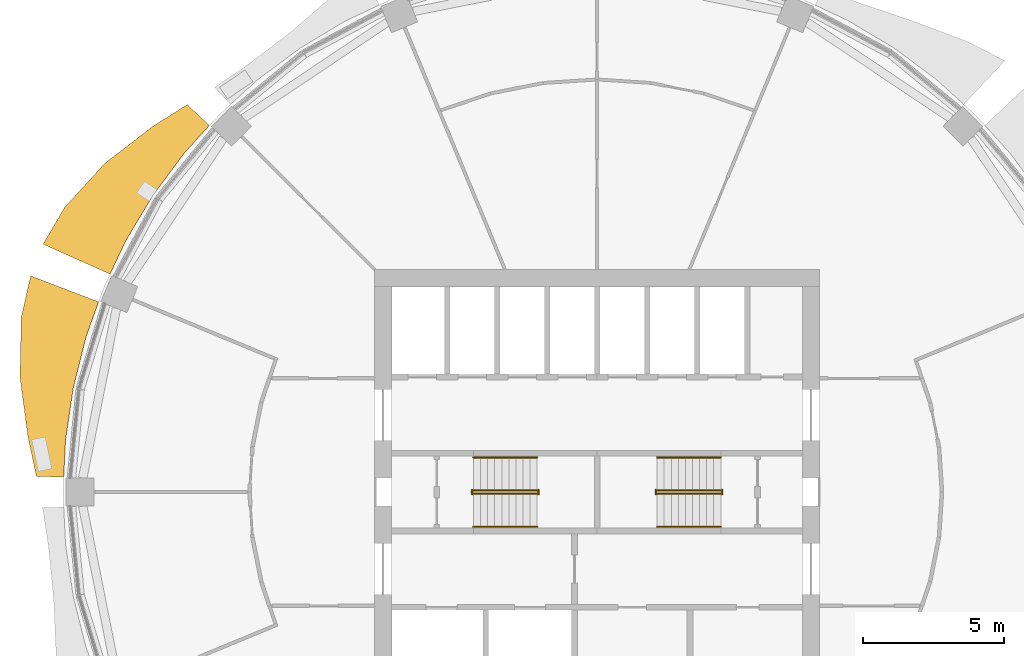
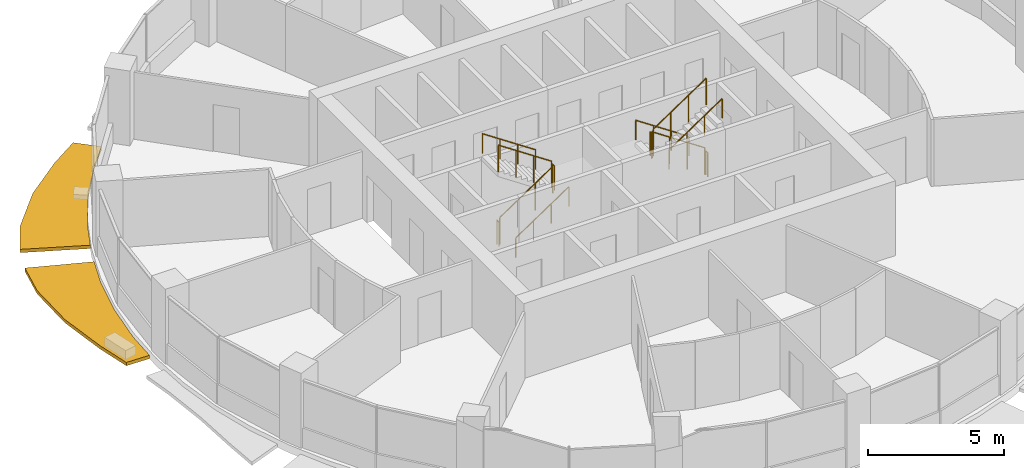
# One storey, part 12 of 14: 12 railings, 2 shading devices.
"""IFC4 building model written with IfcOpenShell, lengths in metres."""

import ifcopenshell
import ifcopenshell.guid

model = None  # the IFC model being written
_history = None  # IfcOwnerHistory: only IFC2X3 demands one
_inside = {}  # id of a spatial element -> (the spatial element, [elements in it])
_under = {}  # id of a project, library or spatial element -> (it, [spatial elements below it])
_declared = {}  # id of a project -> (the project, [libraries it declares])
_typed = {}  # id of a type object -> (the type object, [elements of that type])
_made_of = {}  # id of a material, layer set ... -> (it, [elements and type objects made of it])


def new_model(schema):
    """Start an empty IFC model of exactly this schema.

    Asked for "IFC4X3", IfcOpenShell would pick the latest addendum, in which some entities
    have other attributes; the version numbers below select the first issue.
    IFC2X3 requires an IfcOwnerHistory on every rooted entity: one is made here for all.
    """
    global model, _history
    if schema == "IFC4X3":
        model = ifcopenshell.file(schema_version=(4, 3, 0, 0))
    else:
        model = ifcopenshell.file(schema=schema)
    _inside.clear()
    _under.clear()
    _declared.clear()
    _typed.clear()
    _made_of.clear()
    _history = None
    if model.schema == "IFC2X3":
        org = make("IfcOrganization", Name="unknown")
        user = make(
            "IfcPersonAndOrganization",
            ThePerson=make("IfcPerson", FamilyName="unknown"),
            TheOrganization=org,
        )
        app = make(
            "IfcApplication",
            ApplicationDeveloper=org,
            Version="unknown",
            ApplicationFullName="unknown",
            ApplicationIdentifier="unknown",
        )
        _history = make(
            "IfcOwnerHistory",
            OwningUser=user,
            OwningApplication=app,
            ChangeAction="ADDED",
            CreationDate=0,
        )
    return model


def make(cls, **values):
    """One entity of the class cls with the attributes given. An attribute that is None is left unset."""
    return model.create_entity(
        cls, **{name: value for name, value in values.items() if value is not None}
    )


def rooted(cls, **values):
    """An entity with a GlobalId (a new one), such as an element, a storey or a relation."""
    return make(cls, GlobalId=ifcopenshell.guid.new(), OwnerHistory=_history, **values)


def si_unit(unit_type, name, prefix=None):
    """IfcSIUnit, for example si_unit("LENGTHUNIT", "METRE", prefix="MILLI")."""
    return make("IfcSIUnit", UnitType=unit_type, Prefix=prefix, Name=name)


def assignment(units):
    """IfcUnitAssignment: the units of a project."""
    return None if units is None else make("IfcUnitAssignment", Units=units)


def point(xyz):
    """IfcCartesianPoint."""
    return None if xyz is None else make("IfcCartesianPoint", Coordinates=xyz)


def direction(xyz):
    """IfcDirection."""
    return None if xyz is None else make("IfcDirection", DirectionRatios=xyz)


def frame(location, z_axis=None, x_axis=None):
    """IfcAxis2Placement3D, a coordinate frame: its origin and axes. An axis left out is left unset."""
    return make(
        "IfcAxis2Placement3D",
        Location=point(location),
        Axis=direction(z_axis),
        RefDirection=direction(x_axis),
    )


def frame_2d(location, x_axis=None):
    """IfcAxis2Placement2D, a coordinate frame in the plane: its origin and x axis."""
    return make(
        "IfcAxis2Placement2D", Location=point(location), RefDirection=direction(x_axis)
    )


def origin():
    """The frame at (0, 0, 0) with its axes left unset."""
    return frame((0.0, 0.0, 0.0))


def origin_2d():
    """The frame at (0, 0) in the plane with its x axis left unset."""
    return frame_2d((0.0, 0.0))


def place(relative_to, where):
    """IfcLocalPlacement: puts the frame where relative to a parent placement (None: the world)."""
    return make(
        "IfcLocalPlacement", PlacementRelTo=relative_to, RelativePlacement=where
    )


def context(
    kind, dimensions, precision=None, world=None, true_north=None, identifier=None
):
    """IfcGeometricRepresentationContext, for example the 3D "Model" context."""
    return make(
        "IfcGeometricRepresentationContext",
        ContextIdentifier=identifier,
        ContextType=kind,
        CoordinateSpaceDimension=dimensions,
        Precision=precision,
        WorldCoordinateSystem=world,
        TrueNorth=true_north,
    )


def subcontext(parent, identifier, kind, view, scale=None):
    """IfcGeometricRepresentationSubContext, for example "Body" below "Model"."""
    return make(
        "IfcGeometricRepresentationSubContext",
        ContextIdentifier=identifier,
        ContextType=kind,
        ParentContext=parent,
        TargetScale=scale,
        TargetView=view,
    )


def project(units=None, contexts=None):
    """IfcProject with its units and contexts."""
    return rooted(
        "IfcProject",
        Name="project",
        RepresentationContexts=contexts,
        UnitsInContext=assignment(units),
    )


def spatial(cls, under=None, at=None, **own):
    """A site, building, storey or space (cls), placed at a placement, below another one or the project."""
    s = rooted(cls, ObjectPlacement=at, **own)
    if under is not None:
        _under.setdefault(under.id(), (under, []))[1].append(s)
    return s


def polyline(points):
    """IfcPolyline through the points."""
    return make("IfcPolyline", Points=[point(p) for p in points])


def profile(cls, at=None, kind="AREA", **sizes):
    """A parametric profile (cls). Its sizes go by their IFC names, for example OverallWidth=200.0."""
    return make(cls, ProfileType=kind, Position=at, **sizes)


def circle(**sizes):
    """IfcCircleProfileDef."""
    return profile("IfcCircleProfileDef", **sizes)


def outline(outer, holes=None, kind="AREA"):
    """IfcArbitraryClosedProfileDef: a profile drawn as a closed curve; with holes, ...WithVoids."""
    if holes is None:
        return make("IfcArbitraryClosedProfileDef", ProfileType=kind, OuterCurve=outer)
    return make(
        "IfcArbitraryProfileDefWithVoids",
        ProfileType=kind,
        OuterCurve=outer,
        InnerCurves=holes,
    )


def extrude(swept, where, along, depth):
    """IfcExtrudedAreaSolid: the profile swept, set in the frame where, extruded along a direction by depth."""
    return make(
        "IfcExtrudedAreaSolid",
        SweptArea=swept,
        Position=where,
        ExtrudedDirection=direction(along),
        Depth=depth,
    )


def shape(context_of_items, identifier, shape_type, items):
    """IfcShapeRepresentation: the items that make up one representation, for example the "Body"."""
    return make(
        "IfcShapeRepresentation",
        ContextOfItems=context_of_items,
        RepresentationIdentifier=identifier,
        RepresentationType=shape_type,
        Items=items,
    )


def material(Name=None, Category=None):
    """IfcMaterial."""
    return make("IfcMaterial", Name=Name, Category=Category)


def made_of(thing, what):
    """Note that an element or type object is made of a material, layer set ...; save() writes the relation."""
    if what is not None:
        _made_of.setdefault(what.id(), (what, []))[1].append(thing)
    return thing


def type_object(cls, material=None, **own):
    """A type object (cls), such as IfcWallType, which elements share."""
    return made_of(rooted(cls, **own), material)


def element(
    cls,
    number,
    at=None,
    inside=None,
    cuts=None,
    type_object=None,
    material=None,
    context=None,
    identifier="Body",
    shape_type=None,
    held_by="IfcProductDefinitionShape",
    body=None,
    shapes=None,
    **own,
):
    """One element of the class cls, such as IfcWall. Its Tag is "e" and its number.

    at: its placement. inside: the storey or other place that contains it. cuts: it is an
    opening in that element (IfcRelVoidsElement). A single representation is given by context,
    identifier, shape_type and body (its items); several are given by shapes. held_by: the class
    of the entity that holds the representations. save() writes the other relations.
    """
    e = rooted(cls, Tag="e%d" % number, ObjectPlacement=at, **own)
    if body is not None:
        shapes = [shape(context, identifier, shape_type, body)]
    if shapes is not None:
        e.Representation = make(held_by, Representations=shapes)
    if inside is not None:
        _inside.setdefault(inside.id(), (inside, []))[1].append(e)
    if cuts is not None:
        rooted(
            "IfcRelVoidsElement", RelatingBuildingElement=cuts, RelatedOpeningElement=e
        )
    if type_object is not None:
        _typed.setdefault(type_object.id(), (type_object, []))[1].append(e)
    return made_of(e, material)


def aggregate(whole, parts):
    """IfcRelAggregates: a whole, such as a stair, and the parts it consists of."""
    return rooted("IfcRelAggregates", RelatingObject=whole, RelatedObjects=parts)


def save(model, path):
    """Write the relations noted so far, then the file.

    IfcRelAggregates (storeys below a building ...), IfcRelContainedInSpatialStructure (elements
    in a storey), IfcRelDefinesByType, IfcRelAssociatesMaterial and IfcRelDeclares: one each for
    every whole, place, type object, material and project.
    """
    for whole, parts in _under.values():
        aggregate(whole, parts)
    for where, things in _inside.values():
        rooted(
            "IfcRelContainedInSpatialStructure",
            RelatedElements=things,
            RelatingStructure=where,
        )
    for kind, things in _typed.values():
        rooted("IfcRelDefinesByType", RelatedObjects=things, RelatingType=kind)
    for what, things in _made_of.values():
        rooted("IfcRelAssociatesMaterial", RelatedObjects=things, RelatingMaterial=what)
    for by, libraries in _declared.values():
        rooted("IfcRelDeclares", RelatingContext=by, RelatedDefinitions=libraries)
    model.write(path)


model = new_model("IFC4")

# Units and contexts
model_context = context("Model", 3, precision=1e-05, world=origin(), true_north=direction((0.0, 1.0)))
body_context = subcontext(model_context, "Body", "Model", "MODEL_VIEW")
ifc_project = project(units=[si_unit("LENGTHUNIT", "METRE"), si_unit("AREAUNIT", "SQUARE_METRE"), si_unit("VOLUMEUNIT", "CUBIC_METRE"), si_unit("PLANEANGLEUNIT", "RADIAN"), si_unit("MASSUNIT", "GRAM", prefix="KILO")], contexts=[model_context])

# Site, building, storey
site_placement = place(None, origin())
site = spatial("IfcSite", under=ifc_project, at=site_placement, CompositionType="ELEMENT")
building_placement = place(site_placement, origin())
building = spatial("IfcBuilding", under=site, at=building_placement, Name="Polderwave Tower", CompositionType="ELEMENT")
storey_placement = place(building_placement, frame((0.0, 0.0, 144.39990234375)))
storey = spatial("IfcBuildingStorey", under=building, at=storey_placement, Name="L38", CompositionType="ELEMENT", Elevation=144.39990234375)

# Railings
ifc_material_1 = material(Name="Stainless steel", Category="steel")
railing_type_1 = type_object("IfcRailingType", Name="Stair guard 1100", PredefinedType="GUARDRAIL", material=ifc_material_1)
railing_1_placement = place(storey_placement, frame((-4.3740234375, -0.051025390625, 0.04736328125)))
element("IfcRailing", 1, at=railing_1_placement, inside=storey, type_object=railing_type_1, Name="L38 ST-A stair guard 1", PredefinedType="GUARDRAIL", context=body_context, shape_type="SweptSolid", body=[
    extrude(circle(Radius=0.02392578125, at=origin_2d()), frame((0.0, 0.0, 1.1962890625), z_axis=(0.830758306289, 0.0, 0.556633305266), x_axis=(0.0, 1.0, 0.0)), (0.0, 0.0, 1.0), 2.708251953125),
    extrude(circle(Radius=0.02392578125, at=origin_2d()), origin(), (0.0, 0.0, 1.0), 1.172119140625),
    extrude(circle(Radius=0.02392578125, at=origin_2d()), frame((0.75, 0.0, 0.50244140625)), (0.0, 0.0, 1.0), 1.172119140625),
    extrude(circle(Radius=0.02392578125, at=origin_2d()), frame((1.5, 0.0, 1.005126953125)), (0.0, 0.0, 1.0), 1.172119140625),
    extrude(circle(Radius=0.02392578125, at=origin_2d()), frame((2.25, 0.0, 1.507568359375)), (0.0, 0.0, 1.0), 1.172119140625),
])
railing_2_placement = place(storey_placement, frame((-2.073974609375, -0.074951171875, 1.675048828125)))
element("IfcRailing", 2, at=railing_2_placement, inside=storey, type_object=railing_type_1, Name="L38 ST-A stair guard 2", PredefinedType="GUARDRAIL", context=body_context, shape_type="SweptSolid", body=[
    extrude(circle(Radius=0.02392578125, at=origin_2d()), frame((0.0, 0.0, 1.076171875), z_axis=(0.0, 1.0, 0.0), x_axis=(-1.0, 0.0, 0.0)), (0.0, 0.0, 1.0), 0.14990234375),
    extrude(circle(Radius=0.02099609375, at=origin_2d()), origin(), (0.0, 0.0, 1.0), 1.052001953125),
    extrude(circle(Radius=0.02099609375, at=origin_2d()), frame((0.0, 0.14990234375, 0.0)), (0.0, 0.0, 1.0), 1.052001953125),
])
railing_3_placement = place(storey_placement, frame((-2.1240234375, 0.051025390625, 1.722412109375)))
element("IfcRailing", 3, at=railing_3_placement, inside=storey, type_object=railing_type_1, Name="L38 ST-A stair guard 3", PredefinedType="GUARDRAIL", context=body_context, shape_type="SweptSolid", body=[
    extrude(circle(Radius=0.02392578125, at=origin_2d()), frame((0.0, 0.0, 1.1962890625), z_axis=(-0.830758306289, 0.0, 0.556633305266), x_axis=(0.0, -1.0, 0.0)), (0.0, 0.0, 1.0), 2.708251953125),
    extrude(circle(Radius=0.02392578125, at=origin_2d()), origin(), (0.0, 0.0, 1.0), 1.172119140625),
    extrude(circle(Radius=0.02392578125, at=origin_2d()), frame((-0.75, 0.0, 0.50244140625)), (0.0, 0.0, 1.0), 1.172119140625),
    extrude(circle(Radius=0.02392578125, at=origin_2d()), frame((-1.5, 0.0, 1.005126953125)), (0.0, 0.0, 1.0), 1.172119140625),
    extrude(circle(Radius=0.02392578125, at=origin_2d()), frame((-2.25, 0.0, 1.507568359375)), (0.0, 0.0, 1.0), 1.172119140625),
])
railing_4_placement = place(storey_placement, frame((-4.424072265625, -0.074951171875, 0.0)))
element("IfcRailing", 4, at=railing_4_placement, inside=storey, type_object=railing_type_1, Name="L38 ST-A stair guard 4", PredefinedType="GUARDRAIL", context=body_context, shape_type="SweptSolid", body=[
    extrude(circle(Radius=0.02392578125, at=origin_2d()), frame((0.0, 0.0, 1.076171875), z_axis=(0.0, 1.0, 0.0), x_axis=(-1.0, 0.0, 0.0)), (0.0, 0.0, 1.0), 0.14990234375),
    extrude(circle(Radius=0.02099609375, at=origin_2d()), origin(), (0.0, 0.0, 1.0), 1.052001953125),
    extrude(circle(Radius=0.02099609375, at=origin_2d()), frame((0.0, 0.14990234375, 0.0)), (0.0, 0.0, 1.0), 1.052001953125),
])
railing_5_placement = place(storey_placement, frame((4.3740234375, 0.051025390625, 0.04736328125)))
element("IfcRailing", 5, at=railing_5_placement, inside=storey, type_object=railing_type_1, Name="L38 ST-B stair guard 1", PredefinedType="GUARDRAIL", context=body_context, shape_type="SweptSolid", body=[
    extrude(circle(Radius=0.02392578125, at=origin_2d()), frame((0.0, 0.0, 1.1962890625), z_axis=(-0.830758306289, 0.0, 0.556633305266), x_axis=(0.0, -1.0, 0.0)), (0.0, 0.0, 1.0), 2.708251953125),
    extrude(circle(Radius=0.02392578125, at=origin_2d()), origin(), (0.0, 0.0, 1.0), 1.172119140625),
    extrude(circle(Radius=0.02392578125, at=origin_2d()), frame((-0.75, 0.0, 0.50244140625)), (0.0, 0.0, 1.0), 1.172119140625),
    extrude(circle(Radius=0.02392578125, at=origin_2d()), frame((-1.5, 0.0, 1.005126953125)), (0.0, 0.0, 1.0), 1.172119140625),
    extrude(circle(Radius=0.02392578125, at=origin_2d()), frame((-2.25, 0.0, 1.507568359375)), (0.0, 0.0, 1.0), 1.172119140625),
])
railing_6_placement = place(storey_placement, frame((2.073974609375, 0.074951171875, 1.675048828125)))
element("IfcRailing", 6, at=railing_6_placement, inside=storey, type_object=railing_type_1, Name="L38 ST-B stair guard 2", PredefinedType="GUARDRAIL", context=body_context, shape_type="SweptSolid", body=[
    extrude(circle(Radius=0.02392578125, at=origin_2d()), frame((0.0, 0.0, 1.076171875), z_axis=(0.0, -1.0, 0.0), x_axis=(1.0, 0.0, 0.0)), (0.0, 0.0, 1.0), 0.14990234375),
    extrude(circle(Radius=0.02099609375, at=origin_2d()), origin(), (0.0, 0.0, 1.0), 1.052001953125),
    extrude(circle(Radius=0.02099609375, at=origin_2d()), frame((0.0, -0.14990234375, 0.0)), (0.0, 0.0, 1.0), 1.052001953125),
])
railing_7_placement = place(storey_placement, frame((2.1240234375, -0.051025390625, 1.722412109375)))
element("IfcRailing", 7, at=railing_7_placement, inside=storey, type_object=railing_type_1, Name="L38 ST-B stair guard 3", PredefinedType="GUARDRAIL", context=body_context, shape_type="SweptSolid", body=[
    extrude(circle(Radius=0.02392578125, at=origin_2d()), frame((0.0, 0.0, 1.1962890625), z_axis=(0.830758306289, 0.0, 0.556633305266), x_axis=(0.0, 1.0, 0.0)), (0.0, 0.0, 1.0), 2.708251953125),
    extrude(circle(Radius=0.02392578125, at=origin_2d()), origin(), (0.0, 0.0, 1.0), 1.172119140625),
    extrude(circle(Radius=0.02392578125, at=origin_2d()), frame((0.75, 0.0, 0.50244140625)), (0.0, 0.0, 1.0), 1.172119140625),
    extrude(circle(Radius=0.02392578125, at=origin_2d()), frame((1.5, 0.0, 1.005126953125)), (0.0, 0.0, 1.0), 1.172119140625),
    extrude(circle(Radius=0.02392578125, at=origin_2d()), frame((2.25, 0.0, 1.507568359375)), (0.0, 0.0, 1.0), 1.172119140625),
])
railing_8_placement = place(storey_placement, frame((4.424072265625, 0.074951171875, 0.0)))
element("IfcRailing", 8, at=railing_8_placement, inside=storey, type_object=railing_type_1, Name="L38 ST-B stair guard 4", PredefinedType="GUARDRAIL", context=body_context, shape_type="SweptSolid", body=[
    extrude(circle(Radius=0.02392578125, at=origin_2d()), frame((0.0, 0.0, 1.076171875), z_axis=(0.0, -1.0, 0.0), x_axis=(1.0, 0.0, 0.0)), (0.0, 0.0, 1.0), 0.14990234375),
    extrude(circle(Radius=0.02099609375, at=origin_2d()), origin(), (0.0, 0.0, 1.0), 1.052001953125),
    extrude(circle(Radius=0.02099609375, at=origin_2d()), frame((0.0, -0.14990234375, 0.0)), (0.0, 0.0, 1.0), 1.052001953125),
])
railing_type_2 = type_object("IfcRailingType", Name="Stair handrail 900", PredefinedType="HANDRAIL", material=ifc_material_1)
railing_9_placement = place(storey_placement, frame((-4.3740234375, -1.22509765625, 0.16748046875)))
element("IfcRailing", 9, at=railing_9_placement, inside=storey, type_object=railing_type_2, Name="L38 ST-A stair handrail 1", PredefinedType="HANDRAIL", context=body_context, shape_type="SweptSolid", body=[
    extrude(circle(Radius=0.02392578125, at=origin_2d()), frame((0.0, 0.0, 0.8759765625), z_axis=(0.830758306289, 0.0, 0.556633305266), x_axis=(0.0, 1.0, 0.0)), (0.0, 0.0, 1.0), 2.708251953125),
    extrude(circle(Radius=0.02099609375, at=origin_2d()), origin(), (0.0, 0.0, 1.0), 0.851806640625),
    extrude(circle(Radius=0.02099609375, at=origin_2d()), frame((0.75, 0.0, 0.50244140625)), (0.0, 0.0, 1.0), 0.851806640625),
    extrude(circle(Radius=0.02099609375, at=origin_2d()), frame((1.5, 0.0, 1.005126953125)), (0.0, 0.0, 1.0), 0.851806640625),
    extrude(circle(Radius=0.02099609375, at=origin_2d()), frame((2.25, 0.0, 1.507568359375)), (0.0, 0.0, 1.0), 0.851806640625),
])
for number, where, name in (
    (10, (-2.1240234375, 1.22509765625, 1.842529296875), "L38 ST-A stair handrail 2"),
    (11, (4.3740234375, 1.22509765625, 0.16748046875), "L38 ST-B stair handrail 1"),
):
    element("IfcRailing", number, at=place(storey_placement, frame(where)), inside=storey, type_object=railing_type_2, Name=name, PredefinedType="HANDRAIL", context=body_context, shape_type="SweptSolid", body=[
        extrude(circle(Radius=0.02392578125, at=origin_2d()), frame((0.0, 0.0, 0.8759765625), z_axis=(-0.830758306289, 0.0, 0.556633305266), x_axis=(0.0, -1.0, 0.0)), (0.0, 0.0, 1.0), 2.708251953125),
        extrude(circle(Radius=0.02099609375, at=origin_2d()), origin(), (0.0, 0.0, 1.0), 0.851806640625),
        extrude(circle(Radius=0.02099609375, at=origin_2d()), frame((-0.75, 0.0, 0.50244140625)), (0.0, 0.0, 1.0), 0.851806640625),
        extrude(circle(Radius=0.02099609375, at=origin_2d()), frame((-1.5, 0.0, 1.005126953125)), (0.0, 0.0, 1.0), 0.851806640625),
        extrude(circle(Radius=0.02099609375, at=origin_2d()), frame((-2.25, 0.0, 1.507568359375)), (0.0, 0.0, 1.0), 0.851806640625),
    ])
railing_10_placement = place(storey_placement, frame((2.1240234375, -1.22509765625, 1.842529296875)))
element("IfcRailing", 12, at=railing_10_placement, inside=storey, type_object=railing_type_2, Name="L38 ST-B stair handrail 2", PredefinedType="HANDRAIL", context=body_context, shape_type="SweptSolid", body=[
    extrude(circle(Radius=0.02392578125, at=origin_2d()), frame((0.0, 0.0, 0.8759765625), z_axis=(0.830758306289, 0.0, 0.556633305266), x_axis=(0.0, 1.0, 0.0)), (0.0, 0.0, 1.0), 2.708251953125),
    extrude(circle(Radius=0.02099609375, at=origin_2d()), origin(), (0.0, 0.0, 1.0), 0.851806640625),
    extrude(circle(Radius=0.02099609375, at=origin_2d()), frame((0.75, 0.0, 0.50244140625)), (0.0, 0.0, 1.0), 0.851806640625),
    extrude(circle(Radius=0.02099609375, at=origin_2d()), frame((1.5, 0.0, 1.005126953125)), (0.0, 0.0, 1.0), 0.851806640625),
    extrude(circle(Radius=0.02099609375, at=origin_2d()), frame((2.25, 0.0, 1.507568359375)), (0.0, 0.0, 1.0), 0.851806640625),
])

# Shading devices
ifc_material_2 = material(Name="Terracotta", Category="masonry")
shading_device_type = type_object("IfcShadingDeviceType", Name="Terracotta sunshade band", PredefinedType="USERDEFINED", material=ifc_material_2)
shading_device_1_placement = place(storey_placement, frame((0.0, 0.0, -0.349853515625)))
element("IfcShadingDevice", 13, at=shading_device_1_placement, inside=storey, type_object=shading_device_type, Name="Sunshade band L38 7", ObjectType="SUNSHADE", PredefinedType="USERDEFINED", context=body_context, shape_type="SweptSolid", body=[
    extrude(outline(polyline([(-13.720703125, 12.970947265625), (-14.60986328125, 11.989990234375), (-15.71484375, 10.500244140625), (-16.668212890625, 8.909423828125), (-17.234375, 7.712646484375), (-19.602783203125, 8.7724609375), (-18.843994140625, 10.072265625), (-17.414306640625, 11.635986328125), (-15.747314453125, 12.923583984375), (-14.50390625, 13.71142578125), (-13.720703125, 12.970947265625)])), origin(), (0.0, 0.0, 1.0), 0.14990234375),
])
shading_device_2_placement = place(storey_placement, frame((0.0, 0.0, -0.349853515625)))
element("IfcShadingDevice", 14, at=shading_device_2_placement, inside=storey, type_object=shading_device_type, Name="Sunshade band L38 8", ObjectType="SUNSHADE", PredefinedType="USERDEFINED", context=body_context, shape_type="SweptSolid", body=[
    extrude(outline(polyline([(-17.64013671875, 6.73291015625), (-18.086181640625, 5.486328125), (-18.536865234375, 3.687255859375), (-18.80908203125, 1.8525390625), (-18.8740234375, 0.5302734375), (-19.84130859375, 0.557373046875), (-20.141845703125, 1.98388671875), (-20.419677734375, 4.061767578125), (-20.375244140625, 6.180908203125), (-20.04345703125, 7.650146484375), (-17.64013671875, 6.73291015625)])), origin(), (0.0, 0.0, 1.0), 0.14990234375),
])

save(model, "model.ifc")
